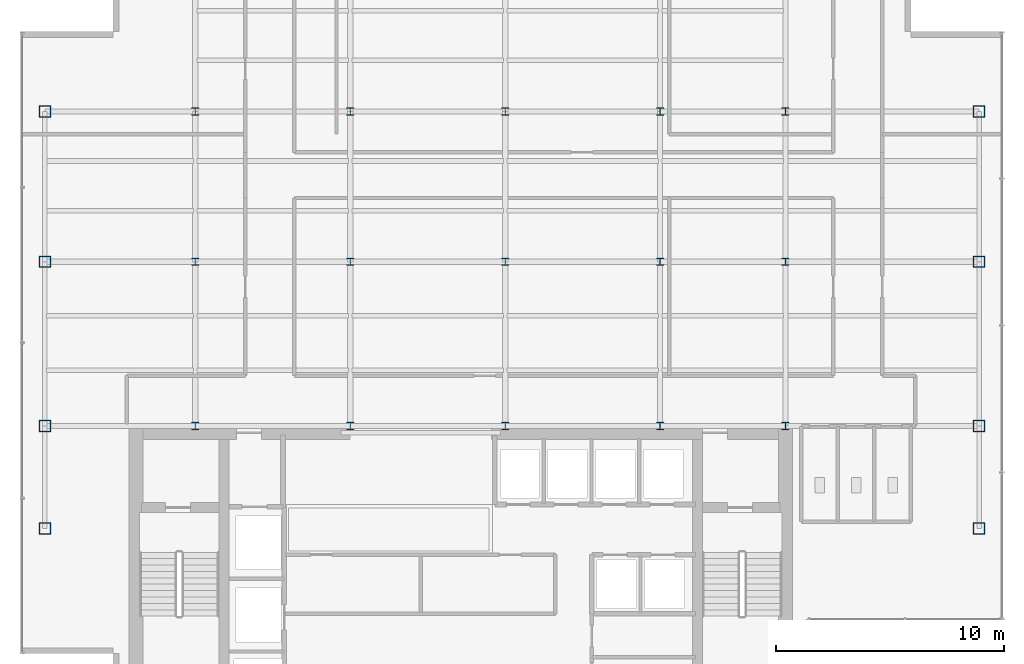
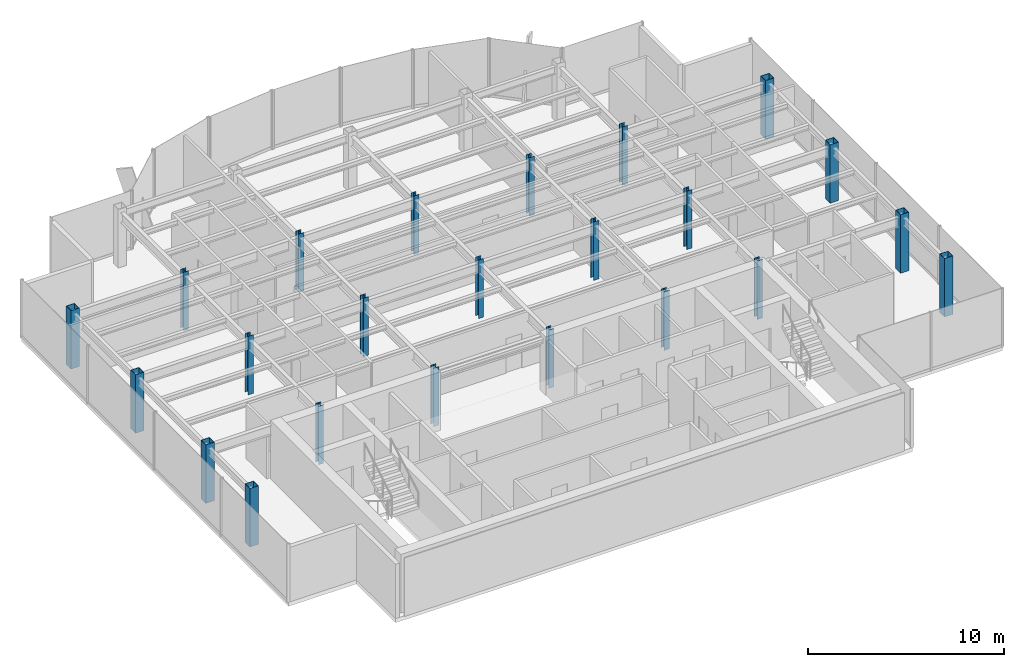
# One storey, part 1 of 22: 23 columns.
"""IFC4 building model written with IfcOpenShell, lengths in metres."""

from ifc_helpers import new_model, si_unit, derived_unit, direction, frame, origin, origin_2d, place, context, subcontext, project, spatial, hollow_rectangle, i_section, extrude, source, transform, mapped, material, material_profile, profile_set, type_object, element, save


model = new_model("IFC4")

# Units and contexts
model_context = context("Model", 3, precision=1e-05, world=origin(), true_north=direction((0.0, 1.0)))
body_context = subcontext(model_context, "Body", "Model", "MODEL_VIEW")
ifc_project = project(units=[si_unit("LENGTHUNIT", "METRE"), si_unit("AREAUNIT", "SQUARE_METRE"), si_unit("VOLUMEUNIT", "CUBIC_METRE"), si_unit("PLANEANGLEUNIT", "RADIAN"), si_unit("MASSUNIT", "GRAM", prefix="KILO"), derived_unit("THERMALTRANSMITTANCEUNIT", [(si_unit("POWERUNIT", "WATT"), 1), (si_unit("LENGTHUNIT", "METRE"), -2), (si_unit("THERMODYNAMICTEMPERATUREUNIT", "KELVIN"), -1)])], contexts=[model_context])

# Site, building, storey
site_placement = place(None, origin())
site = spatial("IfcSite", under=ifc_project, at=site_placement, CompositionType="ELEMENT")
building_placement = place(site_placement, origin())
building = spatial("IfcBuilding", under=site, at=building_placement, Name="Skarnbrae Concourse Arena and Tower", CompositionType="ELEMENT")
storey_placement = place(building_placement, frame((0.0, 0.0, 266.10009765625)))
storey = spatial("IfcBuildingStorey", under=building, at=storey_placement, Name="L69", CompositionType="ELEMENT", Elevation=266.10009765625)

# Columns
ifc_material = material(Name="Steel CSA G40.21 350W", Category="steel")
ifc_material_profile_1 = material_profile(ifc_material, hollow_rectangle(XDim=0.5, YDim=0.5, WallThickness=0.02197265625, at=origin_2d()), Name="HSS500X500X22.0")
ifc_profile_set_1 = profile_set([ifc_material_profile_1], Name="Steel CSA G40.21 350W")
column_type_1 = type_object("IfcColumnType", Name="COL-TUBE-HSS500", PredefinedType="COLUMN", material=ifc_profile_set_1)
shared_shape_1 = source(origin(), body_context, "Body", "SweptSolid", [
    extrude(hollow_rectangle(XDim=0.5, YDim=0.5, WallThickness=0.02197265625, at=origin_2d()), origin(), (0.0, 0.0, 1.0), 3.64990234375),
])
for number, where, z_axis, x_axis, name in (
    (1, (1.0, 9.5, 0.0), (0.0, 0.0, 1.0), (1.0, 0.0, 0.0), "L69 Tower column PC_01_01"),
    (2, (1.0, 14.0, 0.0), (0.0, 0.0, 1.0), (1.0, 0.0, 0.0), "L69 Tower column PC_01_02"),
    (3, (1.0, 21.199951171875, 0.0), (0.0, 0.0, 1.0), (1.0, 0.0, 0.0), "L69 Tower column PC_01_03"),
    (4, (1.0, 27.800048828125, 0.0), (0.0, 0.0, 1.0), (1.0, 0.0, 0.0), "L69 Tower column PC_01_04"),
    (5, (42.0, 9.5, 0.0), (0.0, 0.0, 1.0), (1.0, 0.0, 0.0), "L69 Tower column PC_07_01"),
    (6, (42.0, 14.0, 0.0), (0.0, 0.0, 1.0), (1.0, 0.0, 0.0), "L69 Tower column PC_07_02"),
    (7, (42.0, 21.199951171875, 0.0), (0.0, 0.0, 1.0), (1.0, 0.0, 0.0), "L69 Tower column PC_07_03"),
    (8, (42.0, 27.800048828125, 0.0), (0.0, 0.0, 1.0), (1.0, 0.0, 0.0), "L69 Tower column PC_07_04"),
):
    element("IfcColumn", number, at=place(storey_placement, frame(where, z_axis=z_axis, x_axis=x_axis)), inside=storey, type_object=column_type_1, Name=name, PredefinedType="COLUMN", context=body_context, shape_type="MappedRepresentation", body=[
        mapped(shared_shape_1, transform((0.0, 0.0, 0.0))),
    ])
ifc_material_profile_2 = material_profile(ifc_material, i_section(OverallWidth=0.30908203125, OverallDepth=0.322998046875, WebThickness=0.013916015625, FlangeThickness=0.02294921875, at=origin_2d()), Name="W310X143")
ifc_profile_set_2 = profile_set([ifc_material_profile_2], Name="Steel CSA G40.21 350W")
column_type_2 = type_object("IfcColumnType", Name="COL-INT-W310X143", PredefinedType="COLUMN", material=ifc_profile_set_2)
shared_shape_2 = source(origin(), body_context, "Body", "SweptSolid", [
    extrude(i_section(OverallWidth=0.30908203125, OverallDepth=0.322998046875, WebThickness=0.013916015625, FlangeThickness=0.02294921875, at=origin_2d()), origin(), (0.0, 0.0, 1.0), 3.64990234375),
])
for number, where, z_axis, x_axis, name in (
    (9, (7.60009765625, 14.0, 0.0), (0.0, 0.0, 1.0), (1.0, 0.0, 0.0), "L69 Tower column IC_02_02"),
    (10, (7.60009765625, 21.199951171875, 0.0), (0.0, 0.0, 1.0), (1.0, 0.0, 0.0), "L69 Tower column IC_02_03"),
    (11, (7.60009765625, 27.800048828125, 0.0), (0.0, 0.0, 1.0), (1.0, 0.0, 0.0), "L69 Tower column IC_02_04"),
    (12, (14.39990234375, 14.0, 0.0), (0.0, 0.0, 1.0), (1.0, 0.0, 0.0), "L69 Tower column IC_03_02"),
    (13, (14.39990234375, 21.199951171875, 0.0), (0.0, 0.0, 1.0), (1.0, 0.0, 0.0), "L69 Tower column IC_03_03"),
    (14, (14.39990234375, 27.800048828125, 0.0), (0.0, 0.0, 1.0), (1.0, 0.0, 0.0), "L69 Tower column IC_03_04"),
    (15, (21.199951171875, 14.0, 0.0), (0.0, 0.0, 1.0), (1.0, 0.0, 0.0), "L69 Tower column IC_04_02"),
    (16, (21.199951171875, 21.199951171875, 0.0), (0.0, 0.0, 1.0), (1.0, 0.0, 0.0), "L69 Tower column IC_04_03"),
    (17, (21.199951171875, 27.800048828125, 0.0), (0.0, 0.0, 1.0), (1.0, 0.0, 0.0), "L69 Tower column IC_04_04"),
    (18, (28.0, 14.0, 0.0), (0.0, 0.0, 1.0), (1.0, 0.0, 0.0), "L69 Tower column IC_05_02"),
    (19, (28.0, 21.199951171875, 0.0), (0.0, 0.0, 1.0), (1.0, 0.0, 0.0), "L69 Tower column IC_05_03"),
    (20, (28.0, 27.800048828125, 0.0), (0.0, 0.0, 1.0), (1.0, 0.0, 0.0), "L69 Tower column IC_05_04"),
    (21, (33.5, 14.0, 0.0), (0.0, 0.0, 1.0), (1.0, 0.0, 0.0), "L69 Tower column IC_06_02"),
    (22, (33.5, 21.199951171875, 0.0), (0.0, 0.0, 1.0), (1.0, 0.0, 0.0), "L69 Tower column IC_06_03"),
    (23, (33.5, 27.800048828125, 0.0), (0.0, 0.0, 1.0), (1.0, 0.0, 0.0), "L69 Tower column IC_06_04"),
):
    element("IfcColumn", number, at=place(storey_placement, frame(where, z_axis=z_axis, x_axis=x_axis)), inside=storey, type_object=column_type_2, Name=name, PredefinedType="COLUMN", context=body_context, shape_type="MappedRepresentation", body=[
        mapped(shared_shape_2, transform((0.0, 0.0, 0.0))),
    ])

save(model, "model.ifc")
